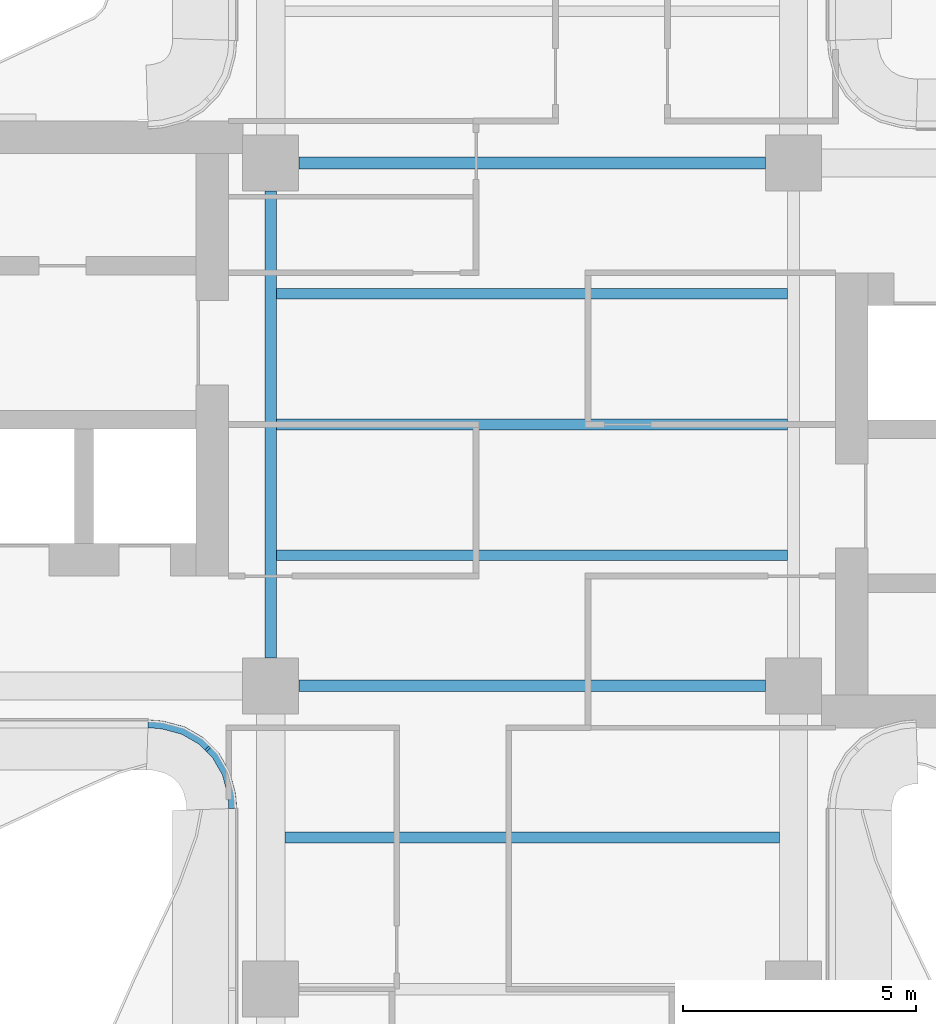
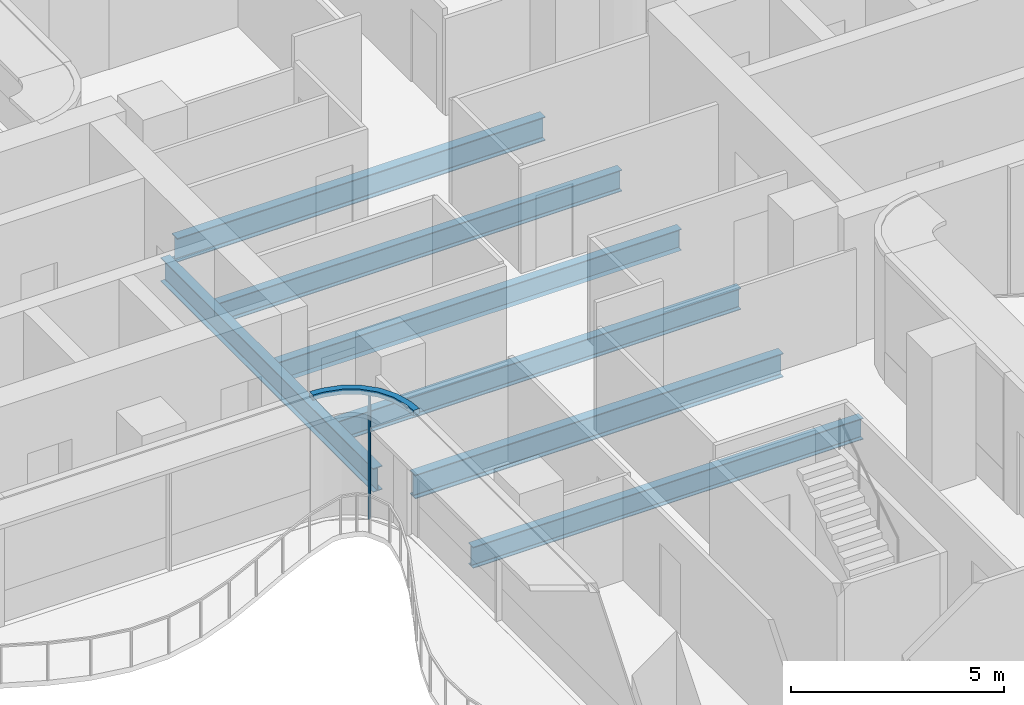
# One storey, part 4 of 17: 7 beams, 2 members, 1 element without a shape of its own.
"""IFC4 building model written with IfcOpenShell, lengths in metres."""

from ifc_helpers import new_model, si_unit, direction, frame, origin, origin_2d, place, context, subcontext, project, spatial, polyline, rectangle, i_section, outline, extrude, source, transform, mapped, material, layer, layer_set, material_profile, profile_set, type_object, element, aggregate, save


model = new_model("IFC4")

# Units and contexts
model_context = context("Model", 3, precision=1e-05, world=origin(), true_north=direction((0.0, 1.0)))
body_context = subcontext(model_context, "Body", "Model", "MODEL_VIEW")
ifc_project = project(units=[si_unit("LENGTHUNIT", "METRE"), si_unit("AREAUNIT", "SQUARE_METRE"), si_unit("VOLUMEUNIT", "CUBIC_METRE"), si_unit("PLANEANGLEUNIT", "RADIAN"), si_unit("MASSUNIT", "GRAM", prefix="KILO")], contexts=[model_context])

# Site, building, storey
site_placement = place(None, origin())
site = spatial("IfcSite", under=ifc_project, at=site_placement, CompositionType="ELEMENT")
building_placement = place(site_placement, origin())
building = spatial("IfcBuilding", under=site, at=building_placement, Name="Trellis Farm Tower", CompositionType="ELEMENT")
storey_placement = place(building_placement, frame((0.0, 0.0, 162.0)))
storey = spatial("IfcBuildingStorey", under=building, at=storey_placement, Name="L34", CompositionType="ELEMENT", Elevation=162.0)

# Beams
ifc_material_1 = material(Name="Steel S355", Category="steel")
ifc_material_profile_1 = material_profile(ifc_material_1, i_section(OverallWidth=0.253662109375, OverallDepth=0.68359375, WebThickness=0.012451171875, FlangeThickness=0.021728515625, FilletRadius=0.01513671875, at=origin_2d()), Name="UB 686x254x140")
ifc_profile_set_1 = profile_set([ifc_material_profile_1], Name="Steel S355")
beam_type_1 = type_object("IfcBeamType", Name="UB 686x254x140", PredefinedType="BEAM", material=ifc_profile_set_1)
shared_shape_1 = source(origin(), body_context, "Body", "SweptSolid", [
    extrude(i_section(OverallWidth=0.253662109375, OverallDepth=0.68359375, WebThickness=0.012451171875, FlangeThickness=0.021728515625, FilletRadius=0.01513671875, at=origin_2d()), origin(), (0.0, 0.0, 1.0), 10.0),
])
for number, where, z_axis, x_axis, name in (
    (1, (-5.0, -5.60009765625, -0.541748046875), (1.0, 0.0, 0.0), (0.0, 1.0, 0.0), "Girder"),
    (2, (-5.0, 5.60009765625, -0.541748046875), (1.0, 0.0, 0.0), (0.0, 1.0, 0.0), "Girder"),
    (3, (-5.60009765625, -5.0, -0.541748046875), (0.0, 1.0, 0.0), (-1.0, 0.0, 0.0), "Girder"),
):
    element("IfcBeam", number, at=place(storey_placement, frame(where, z_axis=z_axis, x_axis=x_axis)), inside=storey, type_object=beam_type_1, Name=name, PredefinedType="BEAM", context=body_context, shape_type="MappedRepresentation", body=[
        mapped(shared_shape_1, transform((0.0, 0.0, 0.0))),
    ])
ifc_material_profile_2 = material_profile(ifc_material_1, i_section(OverallWidth=0.22900390625, OverallDepth=0.6123046875, WebThickness=0.011962890625, FlangeThickness=0.01953125, FilletRadius=0.0126953125, at=origin_2d()), Name="UB 610x229x125")
ifc_profile_set_2 = profile_set([ifc_material_profile_2], Name="Steel S355")
beam_type_2 = type_object("IfcBeamType", Name="UB 610x229x125 joist", PredefinedType="JOIST", material=ifc_profile_set_2)
shared_shape_2 = source(origin(), body_context, "Body", "SweptSolid", [
    extrude(i_section(OverallWidth=0.22900390625, OverallDepth=0.6123046875, WebThickness=0.011962890625, FlangeThickness=0.01953125, FilletRadius=0.0126953125, at=origin_2d()), origin(), (0.0, 0.0, 1.0), 10.9462890625),
])
for number, where, z_axis, x_axis, name in (
    (4, (-5.47314453125, -2.800048828125, -0.506103515625), (1.0, 0.0, 0.0), (0.0, 1.0, 0.0), "Floor beam"),
    (5, (-5.47314453125, 0.0, -0.506103515625), (1.0, 0.0, 0.0), (0.0, 1.0, 0.0), "Floor beam"),
    (6, (-5.47314453125, 2.800048828125, -0.506103515625), (1.0, 0.0, 0.0), (0.0, 1.0, 0.0), "Floor beam"),
):
    element("IfcBeam", number, at=place(storey_placement, frame(where, z_axis=z_axis, x_axis=x_axis)), inside=storey, type_object=beam_type_2, Name=name, PredefinedType="JOIST", context=body_context, shape_type="MappedRepresentation", body=[
        mapped(shared_shape_2, transform((0.0, 0.0, 0.0))),
    ])
shared_shape_3 = source(origin(), body_context, "Body", "SweptSolid", [
    extrude(i_section(OverallWidth=0.22900390625, OverallDepth=0.6123046875, WebThickness=0.011962890625, FlangeThickness=0.01953125, FilletRadius=0.0126953125, at=origin_2d()), origin(), (0.0, 0.0, 1.0), 10.60009765625),
])
beam_placement = place(storey_placement, frame((-5.300048828125, -8.85009765625, -0.506103515625), z_axis=(1.0, 0.0, 0.0), x_axis=(0.0, 1.0, 0.0)))
element("IfcBeam", 7, at=beam_placement, inside=storey, type_object=beam_type_2, Name="Floor beam", PredefinedType="JOIST", context=body_context, shape_type="MappedRepresentation", body=[
    mapped(shared_shape_3, transform((0.0, 0.0, 0.0))),
])

# Curtain wall, members
ifc_material_2 = material(Name="Aluminium and glass curtain wall", Category="aluminium")
ifc_layer_1 = layer(ifc_material_2, 0.166015625)
ifc_layer_set_1 = layer_set([ifc_layer_1], Name="WINTER GARDEN CURTAIN WALL CW3")
curtain_wall_type = type_object("IfcCurtainWallType", Name="WINTER GARDEN CURTAIN WALL CW3", PredefinedType="NOTDEFINED", material=ifc_layer_set_1)
curtain_wall_placement = place(storey_placement, origin())
curtain_wall = element("IfcCurtainWall", 8, at=curtain_wall_placement, inside=storey, type_object=curtain_wall_type, Name="CW3 001", PredefinedType="NOTDEFINED")
ifc_material_3 = material(Name="Aluminium extrusion 6063-T6", Category="aluminium")
ifc_layer_2 = layer(ifc_material_3, 0.169921875)
ifc_layer_set_2 = layer_set([ifc_layer_2], Name="Aluminium extrusion 6063-T6")
member_type_1 = type_object("IfcMemberType", Name="CW3 TRANSOM 170x150", PredefinedType="USERDEFINED", material=ifc_layer_set_2)
shared_shape_4 = source(origin(), body_context, "Body", "SweptSolid", [
    extrude(outline(polyline([(-8.2314453125, -6.5), (-8.01953125, -6.513916015625), (-7.91552734375, -6.527587890625), (-7.508544921875, -6.63671875), (-7.144287109375, -6.846923828125), (-6.846923828125, -7.144287109375), (-6.63671875, -7.508544921875), (-6.527587890625, -7.91552734375), (-6.513916015625, -8.01953125), (-6.5, -8.2314453125), (-6.330078125, -8.225830078125), (-6.3447265625, -8.0029296875), (-6.360595703125, -7.88232421875), (-6.478271484375, -7.44287109375), (-6.7109375, -7.0400390625), (-7.0400390625, -6.7109375), (-7.44287109375, -6.478271484375), (-7.88232421875, -6.360595703125), (-8.0029296875, -6.3447265625), (-8.225830078125, -6.330078125), (-8.2314453125, -6.5)])), origin(), (0.0, 0.0, 1.0), 0.14990234375),
])
member_1_placement = place(storey_placement, frame((0.0, 0.0, 3.550048828125)))
member_1 = element("IfcMember", 9, at=member_1_placement, type_object=member_type_1, Name="TR3 001", ObjectType="TRANSOM", PredefinedType="USERDEFINED", context=body_context, shape_type="MappedRepresentation", body=[
    mapped(shared_shape_4, transform((0.0, 0.0, 0.0))),
])
ifc_material_profile_3 = material_profile(ifc_material_3, rectangle(XDim=0.050048828125, YDim=0.1201171875, at=origin_2d()), Name="MULLION 50x120")
ifc_profile_set_3 = profile_set([ifc_material_profile_3], Name="Aluminium extrusion 6063-T6")
member_type_2 = type_object("IfcMemberType", Name="CW3 MULLION 50x120", PredefinedType="MULLION", material=ifc_profile_set_3)
shared_shape_5 = source(origin(), body_context, "Body", "SweptSolid", [
    extrude(rectangle(XDim=0.050048828125, YDim=0.1201171875, at=origin_2d()), origin(), (0.0, 0.0, 1.0), 3.550048828125),
])
member_2_placement = place(storey_placement, frame((-6.953125, -6.953125, 0.0), z_axis=(0.0, 0.0, 1.0), x_axis=(0.707106781187, -0.707106781187, 0.0)))
member_2 = element("IfcMember", 10, at=member_2_placement, type_object=member_type_2, Name="MU3 001-01", PredefinedType="MULLION", context=body_context, shape_type="MappedRepresentation", body=[
    mapped(shared_shape_5, transform((0.0, 0.0, 0.0))),
])
aggregate(curtain_wall, [member_2, member_1])

save(model, "model.ifc")
